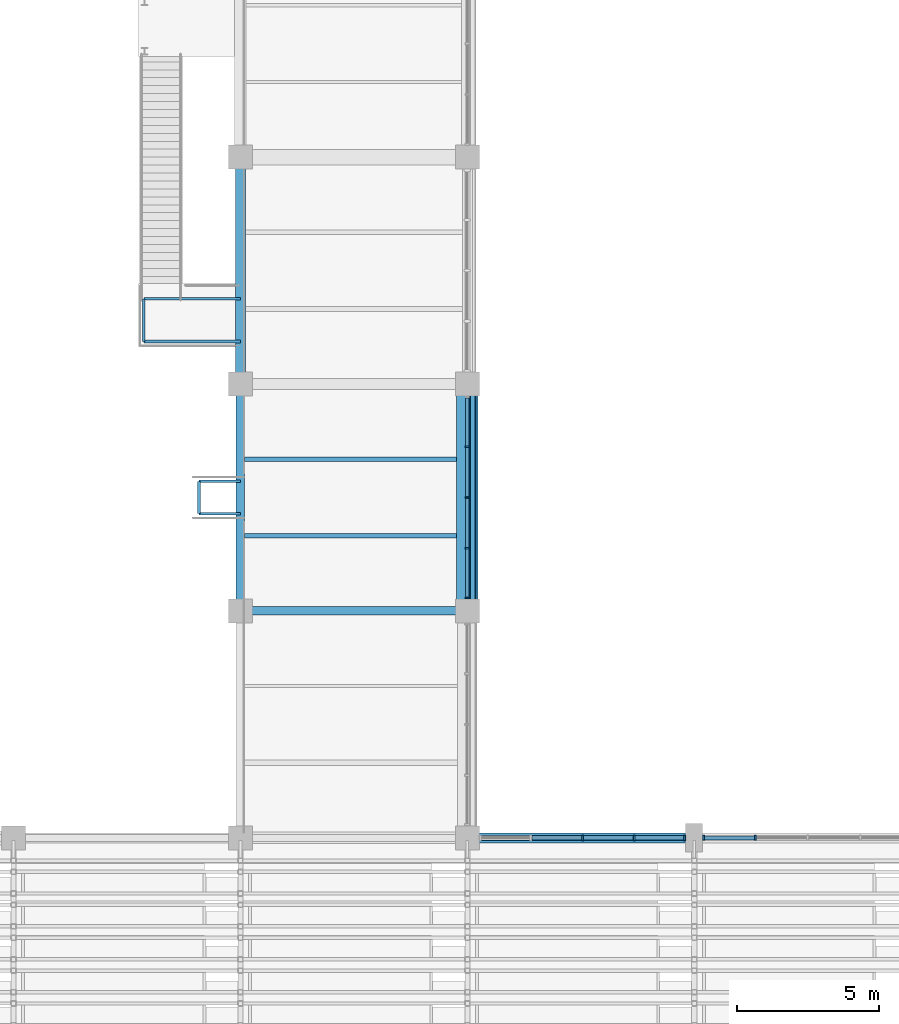
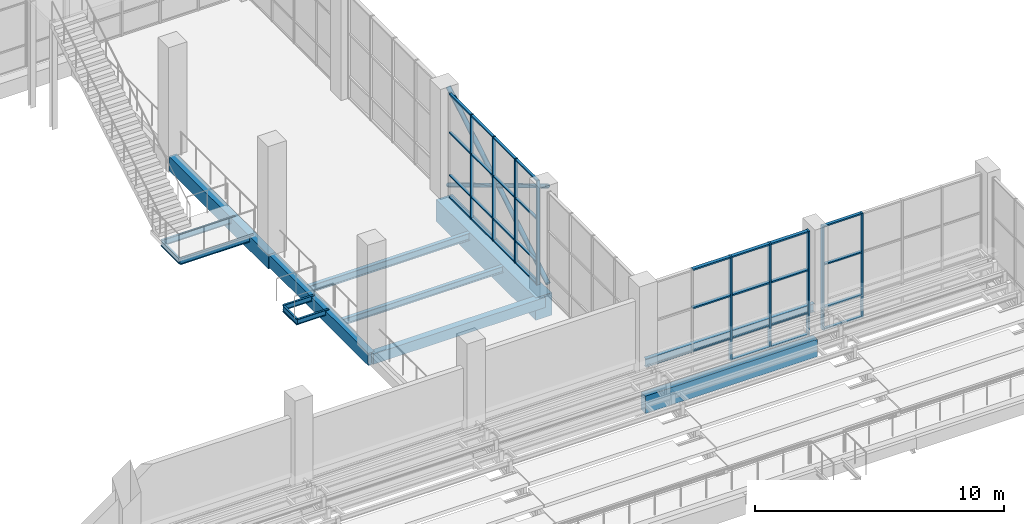
# One storey, part 55 of 122: 42 members, 14 beams, 3 elements without a shape of their own.
"""IFC4 building model written with IfcOpenShell, lengths in metres."""

from ifc_helpers import new_model, si_unit, direction, frame, origin, origin_2d, place, context, subcontext, project, spatial, rectangle, hollow_circle, i_section, extrude, material, material_profile, profile_set, type_object, element, aggregate, save


model = new_model("IFC4")

# Units and contexts
model_context = context("Model", 3, precision=1e-05, world=origin(), true_north=direction((0.0, 1.0)))
body_context = subcontext(model_context, "Body", "Model", "MODEL_VIEW")
ifc_project = project(units=[si_unit("LENGTHUNIT", "METRE"), si_unit("AREAUNIT", "SQUARE_METRE"), si_unit("VOLUMEUNIT", "CUBIC_METRE"), si_unit("PLANEANGLEUNIT", "RADIAN"), si_unit("MASSUNIT", "GRAM", prefix="KILO")], contexts=[model_context])

# Site, building, storey
site_placement = place(None, origin())
site = spatial("IfcSite", under=ifc_project, at=site_placement, CompositionType="ELEMENT")
building_placement = place(site_placement, origin())
building = spatial("IfcBuilding", under=site, at=building_placement, Name="Tenunan Teduh Sports Hall", CompositionType="ELEMENT")
storey_placement = place(building_placement, frame((0.0, 0.0, 5.39990234375)))
storey = spatial("IfcBuildingStorey", under=building, at=storey_placement, Name="L01", CompositionType="ELEMENT", Elevation=5.39990234375)

# Beams
ifc_material_1 = material(Name="Concrete C40/50", Category="concrete")
ifc_material_profile_1 = material_profile(ifc_material_1, rectangle(XDim=0.300048828125, YDim=0.5, at=origin_2d()), Name="RCB 300x500")
ifc_profile_set_1 = profile_set([ifc_material_profile_1], Name="Concrete C40/50")
beam_type_1 = type_object("IfcBeamType", Name="BM-RC-300x500", PredefinedType="BEAM", material=ifc_profile_set_1)
beam_1_placement = place(storey_placement, frame((146.0, 54.0, -0.510009765625), z_axis=(1.0, 0.0, 0.0), x_axis=(0.0, 1.0, 0.0)))
element("IfcBeam", 1, at=beam_1_placement, inside=storey, type_object=beam_type_1, Name="BM-B-01-L01-1090", PredefinedType="BEAM", context=body_context, shape_type="SweptSolid", body=[
    extrude(rectangle(XDim=0.300048828125, YDim=0.5, at=origin_2d()), origin(), (0.0, 0.0, 1.0), 8.0),
])
ifc_material_2 = material(Name="Concrete C40/50", Category="concrete")
ifc_material_profile_2 = material_profile(ifc_material_2, rectangle(XDim=0.300048828125, YDim=0.60009765625, at=origin_2d()), Name="RCB 300x600")
ifc_profile_set_2 = profile_set([ifc_material_profile_2], Name="Concrete C40/50")
beam_type_2 = type_object("IfcBeamType", Name="BM-RC-300x600", PredefinedType="BEAM", material=ifc_profile_set_2)
beam_2_placement = place(storey_placement, frame((146.0, 54.0, -0.559814453125), z_axis=(0.0, 1.0, 0.0), x_axis=(-1.0, 0.0, 0.0)))
element("IfcBeam", 2, at=beam_2_placement, inside=storey, type_object=beam_type_2, Name="BM-B-03-L01-1286", PredefinedType="BEAM", context=body_context, shape_type="SweptSolid", body=[
    extrude(rectangle(XDim=0.300048828125, YDim=0.60009765625, at=origin_2d()), origin(), (0.0, 0.0, 1.0), 8.0),
])
ifc_material_3 = material(Name="Concrete C40/50", Category="concrete")
ifc_material_profile_3 = material_profile(ifc_material_3, rectangle(XDim=0.35009765625, YDim=0.699951171875, at=origin_2d()), Name="RCB 350x700")
ifc_profile_set_3 = profile_set([ifc_material_profile_3], Name="Concrete C40/50")
beam_type_3 = type_object("IfcBeamType", Name="BM-RC-350x700", PredefinedType="BEAM", material=ifc_profile_set_3)
beam_3_placement = place(storey_placement, frame((146.0, 62.0, -0.60986328125), z_axis=(0.0, 1.0, 0.0), x_axis=(-1.0, 0.0, 0.0)))
element("IfcBeam", 3, at=beam_3_placement, inside=storey, type_object=beam_type_3, Name="BM-B-06-L01-1287", PredefinedType="BEAM", context=body_context, shape_type="SweptSolid", body=[
    extrude(rectangle(XDim=0.35009765625, YDim=0.699951171875, at=origin_2d()), origin(), (0.0, 0.0, 1.0), 8.0),
])
ifc_material_4 = material(Name="Concrete C40/50", Category="concrete")
ifc_material_profile_4 = material_profile(ifc_material_4, rectangle(XDim=0.75, YDim=1.10009765625, at=origin_2d()), Name="RCB 750x1100")
ifc_profile_set_4 = profile_set([ifc_material_profile_4], Name="Concrete C40/50")
beam_type_4 = type_object("IfcBeamType", Name="BM-RC-750x1100", PredefinedType="SPANDREL", material=ifc_profile_set_4)
beam_4_placement = place(storey_placement, frame((154.0, 54.0, -0.809814453125), z_axis=(0.0, 1.0, 0.0), x_axis=(-1.0, 0.0, 0.0)))
element("IfcBeam", 4, at=beam_4_placement, inside=storey, type_object=beam_type_4, Name="BM-B-20-L01-1294", PredefinedType="SPANDREL", context=body_context, shape_type="SweptSolid", body=[
    extrude(rectangle(XDim=0.75, YDim=1.10009765625, at=origin_2d()), origin(), (0.0, 0.0, 1.0), 8.0),
])
ifc_material_5 = material(Name="Concrete C40/50", Category="concrete")
ifc_material_profile_5 = material_profile(ifc_material_5, rectangle(XDim=0.35009765625, YDim=0.85009765625, at=origin_2d()), Name="SPB 350x850")
ifc_profile_set_5 = profile_set([ifc_material_profile_5], Name="Concrete C40/50")
beam_type_5 = type_object("IfcBeamType", Name="BM-SP-350x850", PredefinedType="SPANDREL", material=ifc_profile_set_5)
beam_5_placement = place(storey_placement, frame((154.0, 46.0, -0.684814453125), z_axis=(1.0, 0.0, 0.0), x_axis=(0.0, 1.0, 0.0)))
element("IfcBeam", 5, at=beam_5_placement, inside=storey, type_object=beam_type_5, Name="BM-SP-02-L01-1086", PredefinedType="SPANDREL", context=body_context, shape_type="SweptSolid", body=[
    extrude(rectangle(XDim=0.35009765625, YDim=0.85009765625, at=origin_2d()), origin(), (0.0, 0.0, 1.0), 8.0),
])

# Curtain wall, members
ifc_material_6 = material(Name="Anodised aluminium", Category="aluminium")
curtain_wall_type = type_object("IfcCurtainWallType", Name="CW-UNIT-1", PredefinedType="NOTDEFINED", material=ifc_material_6)
curtain_wall_1_placement = place(storey_placement, origin())
curtain_wall_1 = element("IfcCurtainWall", 6, at=curtain_wall_1_placement, inside=storey, type_object=curtain_wall_type, Name="CW-CWM-150-L01-123", PredefinedType="NOTDEFINED")
ifc_material_7 = material(Name="Anodised aluminium", Category="aluminium")
ifc_material_profile_6 = material_profile(ifc_material_7, rectangle(XDim=0.06005859375, YDim=0.14990234375, at=origin_2d()), Name="CWM 60x150")
ifc_profile_set_6 = profile_set([ifc_material_profile_6], Name="Anodised aluminium")
member_type_1 = type_object("IfcMemberType", Name="CWM-150", PredefinedType="MULLION", material=ifc_profile_set_6)
member_1_placement = place(storey_placement, frame((154.0, 54.455078125, 0.0), z_axis=(0.0, 0.0, 1.0), x_axis=(0.0, 1.0, 0.0)))
member_1 = element("IfcMember", 7, at=member_1_placement, type_object=member_type_1, Name="CW-01 mullion 1", PredefinedType="MULLION", context=body_context, shape_type="SweptSolid", body=[
    extrude(rectangle(XDim=0.06005859375, YDim=0.14990234375, at=origin_2d()), origin(), (0.0, 0.0, 1.0), 5.1201171875),
])
member_2_placement = place(storey_placement, frame((154.0, 56.21240234375, 0.0), z_axis=(0.0, 0.0, 1.0), x_axis=(0.0, 1.0, 0.0)))
member_2 = element("IfcMember", 8, at=member_2_placement, type_object=member_type_1, Name="CW-01 mullion 2", PredefinedType="MULLION", context=body_context, shape_type="SweptSolid", body=[
    extrude(rectangle(XDim=0.06005859375, YDim=0.14990234375, at=origin_2d()), origin(), (0.0, 0.0, 1.0), 5.1201171875),
])
member_3_placement = place(storey_placement, frame((154.0, 58.0, 0.0), z_axis=(0.0, 0.0, 1.0), x_axis=(0.0, 1.0, 0.0)))
member_3 = element("IfcMember", 9, at=member_3_placement, type_object=member_type_1, Name="CW-01 mullion 3", PredefinedType="MULLION", context=body_context, shape_type="SweptSolid", body=[
    extrude(rectangle(XDim=0.06005859375, YDim=0.14990234375, at=origin_2d()), origin(), (0.0, 0.0, 1.0), 5.1201171875),
])
member_4_placement = place(storey_placement, frame((154.0, 59.78759765625, 0.0), z_axis=(0.0, 0.0, 1.0), x_axis=(0.0, 1.0, 0.0)))
member_4 = element("IfcMember", 10, at=member_4_placement, type_object=member_type_1, Name="CW-01 mullion 4", PredefinedType="MULLION", context=body_context, shape_type="SweptSolid", body=[
    extrude(rectangle(XDim=0.06005859375, YDim=0.14990234375, at=origin_2d()), origin(), (0.0, 0.0, 1.0), 5.1201171875),
])

curtain_wall_2_placement = place(storey_placement, origin())
curtain_wall_2 = element("IfcCurtainWall", 11, at=curtain_wall_2_placement, inside=storey, type_object=curtain_wall_type, Name="CW-CWM-175-L01-014", PredefinedType="NOTDEFINED")
ifc_material_8 = material(Name="Anodised aluminium", Category="aluminium")
ifc_material_profile_7 = material_profile(ifc_material_8, rectangle(XDim=0.06494140625, YDim=0.175048828125, at=origin_2d()), Name="CWM 65x175")
ifc_profile_set_7 = profile_set([ifc_material_profile_7], Name="Anodised aluminium")
member_type_2 = type_object("IfcMemberType", Name="CWM-175", PredefinedType="MULLION", material=ifc_profile_set_7)
member_5_placement = place(storey_placement, frame((162.33251953125, 46.0, 0.0), z_axis=(0.0, 0.0, 1.0), x_axis=(1.0, 0.0, 0.0)))
member_5 = element("IfcMember", 12, at=member_5_placement, type_object=member_type_2, Name="CW-01 mullion 1", PredefinedType="MULLION", context=body_context, shape_type="SweptSolid", body=[
    extrude(rectangle(XDim=0.06494140625, YDim=0.175048828125, at=origin_2d()), origin(), (0.0, 0.0, 1.0), 5.1201171875),
])
member_6_placement = place(storey_placement, frame((164.14990234375, 46.0, 0.0), z_axis=(0.0, 0.0, 1.0), x_axis=(1.0, 0.0, 0.0)))
member_6 = element("IfcMember", 13, at=member_6_placement, type_object=member_type_2, Name="CW-01 mullion 2", PredefinedType="MULLION", context=body_context, shape_type="SweptSolid", body=[
    extrude(rectangle(XDim=0.06494140625, YDim=0.175048828125, at=origin_2d()), origin(), (0.0, 0.0, 1.0), 5.1201171875),
])

curtain_wall_3_placement = place(storey_placement, origin())
curtain_wall_3 = element("IfcCurtainWall", 14, at=curtain_wall_3_placement, inside=storey, type_object=curtain_wall_type, Name="CW-CWM-200-L01-012", PredefinedType="NOTDEFINED")
ifc_material_9 = material(Name="Anodised aluminium", Category="aluminium")
ifc_material_profile_8 = material_profile(ifc_material_9, rectangle(XDim=0.070068359375, YDim=0.199951171875, at=origin_2d()), Name="CWM 70x200")
ifc_profile_set_8 = profile_set([ifc_material_profile_8], Name="Anodised aluminium")
member_type_3 = type_object("IfcMemberType", Name="CWM-200", PredefinedType="MULLION", material=ifc_profile_set_8)
member_7_placement = place(storey_placement, frame((158.0625, 46.0, 0.0), z_axis=(0.0, 0.0, 1.0), x_axis=(1.0, 0.0, 0.0)))
member_7 = element("IfcMember", 15, at=member_7_placement, type_object=member_type_3, Name="CW-01 mullion 3", PredefinedType="MULLION", context=body_context, shape_type="SweptSolid", body=[
    extrude(rectangle(XDim=0.070068359375, YDim=0.199951171875, at=origin_2d()), origin(), (0.0, 0.0, 1.0), 5.1201171875),
])
member_8_placement = place(storey_placement, frame((159.88134765625, 46.0, 0.0), z_axis=(0.0, 0.0, 1.0), x_axis=(1.0, 0.0, 0.0)))
member_8 = element("IfcMember", 16, at=member_8_placement, type_object=member_type_3, Name="CW-01 mullion 4", PredefinedType="MULLION", context=body_context, shape_type="SweptSolid", body=[
    extrude(rectangle(XDim=0.070068359375, YDim=0.199951171875, at=origin_2d()), origin(), (0.0, 0.0, 1.0), 5.1201171875),
])
member_9_placement = place(storey_placement, frame((161.6650390625, 46.0, 0.0), z_axis=(0.0, 0.0, 1.0), x_axis=(1.0, 0.0, 0.0)))
member_9 = element("IfcMember", 17, at=member_9_placement, type_object=member_type_3, Name="CW-01 mullion 5", PredefinedType="MULLION", context=body_context, shape_type="SweptSolid", body=[
    extrude(rectangle(XDim=0.070068359375, YDim=0.199951171875, at=origin_2d()), origin(), (0.0, 0.0, 1.0), 5.1201171875),
])

# Member
ifc_material_10 = material(Name="Anodised aluminium", Category="aluminium")
ifc_material_profile_9 = material_profile(ifc_material_10, rectangle(XDim=0.06005859375, YDim=0.1201171875, at=origin_2d()), Name="CWT 60x120")
ifc_profile_set_9 = profile_set([ifc_material_profile_9], Name="Anodised aluminium")
member_type_4 = type_object("IfcMemberType", Name="CWT-125", PredefinedType="USERDEFINED", material=ifc_profile_set_9)
member_10_placement = place(storey_placement, frame((154.0, 54.485107421875, 0.030029296875), z_axis=(0.0, 1.0, 0.0), x_axis=(0.0, 0.0, 1.0)))
member_10 = element("IfcMember", 18, at=member_10_placement, type_object=member_type_4, Name="CW-01 transom 1.1", ObjectType="TRANSOM", PredefinedType="USERDEFINED", context=body_context, shape_type="SweptSolid", body=[
    extrude(rectangle(XDim=0.06005859375, YDim=0.1201171875, at=origin_2d()), origin(), (0.0, 0.0, 1.0), 1.697509765625),
])

member_11_placement = place(storey_placement, frame((154.0, 54.485107421875, 1.10009765625), z_axis=(0.0, 1.0, 0.0), x_axis=(0.0, 0.0, 1.0)))
member_11 = element("IfcMember", 19, at=member_11_placement, type_object=member_type_4, Name="CW-01 transom 1.2", ObjectType="TRANSOM", PredefinedType="USERDEFINED", context=body_context, shape_type="SweptSolid", body=[
    extrude(rectangle(XDim=0.06005859375, YDim=0.1201171875, at=origin_2d()), origin(), (0.0, 0.0, 1.0), 1.697509765625),
])

member_12_placement = place(storey_placement, frame((154.0, 54.485107421875, 3.2001953125), z_axis=(0.0, 1.0, 0.0), x_axis=(0.0, 0.0, 1.0)))
member_12 = element("IfcMember", 20, at=member_12_placement, type_object=member_type_4, Name="CW-01 transom 1.3", ObjectType="TRANSOM", PredefinedType="USERDEFINED", context=body_context, shape_type="SweptSolid", body=[
    extrude(rectangle(XDim=0.06005859375, YDim=0.1201171875, at=origin_2d()), origin(), (0.0, 0.0, 1.0), 1.697509765625),
])

member_13_placement = place(storey_placement, frame((154.0, 54.485107421875, 5.090087890625), z_axis=(0.0, 1.0, 0.0), x_axis=(0.0, 0.0, 1.0)))
member_13 = element("IfcMember", 21, at=member_13_placement, type_object=member_type_4, Name="CW-01 transom 1.4", ObjectType="TRANSOM", PredefinedType="USERDEFINED", context=body_context, shape_type="SweptSolid", body=[
    extrude(rectangle(XDim=0.06005859375, YDim=0.1201171875, at=origin_2d()), origin(), (0.0, 0.0, 1.0), 1.697509765625),
])

member_14_placement = place(storey_placement, frame((154.0, 56.242431640625, 0.030029296875), z_axis=(0.0, 1.0, 0.0), x_axis=(0.0, 0.0, 1.0)))
member_14 = element("IfcMember", 22, at=member_14_placement, type_object=member_type_4, Name="CW-01 transom 2.1", ObjectType="TRANSOM", PredefinedType="USERDEFINED", context=body_context, shape_type="SweptSolid", body=[
    extrude(rectangle(XDim=0.06005859375, YDim=0.1201171875, at=origin_2d()), origin(), (0.0, 0.0, 1.0), 1.7275390625),
])

member_15_placement = place(storey_placement, frame((154.0, 56.242431640625, 1.10009765625), z_axis=(0.0, 1.0, 0.0), x_axis=(0.0, 0.0, 1.0)))
member_15 = element("IfcMember", 23, at=member_15_placement, type_object=member_type_4, Name="CW-01 transom 2.2", ObjectType="TRANSOM", PredefinedType="USERDEFINED", context=body_context, shape_type="SweptSolid", body=[
    extrude(rectangle(XDim=0.06005859375, YDim=0.1201171875, at=origin_2d()), origin(), (0.0, 0.0, 1.0), 1.7275390625),
])

member_16_placement = place(storey_placement, frame((154.0, 56.242431640625, 3.2001953125), z_axis=(0.0, 1.0, 0.0), x_axis=(0.0, 0.0, 1.0)))
member_16 = element("IfcMember", 24, at=member_16_placement, type_object=member_type_4, Name="CW-01 transom 2.3", ObjectType="TRANSOM", PredefinedType="USERDEFINED", context=body_context, shape_type="SweptSolid", body=[
    extrude(rectangle(XDim=0.06005859375, YDim=0.1201171875, at=origin_2d()), origin(), (0.0, 0.0, 1.0), 1.7275390625),
])

member_17_placement = place(storey_placement, frame((154.0, 56.242431640625, 5.090087890625), z_axis=(0.0, 1.0, 0.0), x_axis=(0.0, 0.0, 1.0)))
member_17 = element("IfcMember", 25, at=member_17_placement, type_object=member_type_4, Name="CW-01 transom 2.4", ObjectType="TRANSOM", PredefinedType="USERDEFINED", context=body_context, shape_type="SweptSolid", body=[
    extrude(rectangle(XDim=0.06005859375, YDim=0.1201171875, at=origin_2d()), origin(), (0.0, 0.0, 1.0), 1.7275390625),
])

member_18_placement = place(storey_placement, frame((154.0, 58.030029296875, 0.030029296875), z_axis=(0.0, 1.0, 0.0), x_axis=(0.0, 0.0, 1.0)))
member_18 = element("IfcMember", 26, at=member_18_placement, type_object=member_type_4, Name="CW-01 transom 3.1", ObjectType="TRANSOM", PredefinedType="USERDEFINED", context=body_context, shape_type="SweptSolid", body=[
    extrude(rectangle(XDim=0.06005859375, YDim=0.1201171875, at=origin_2d()), origin(), (0.0, 0.0, 1.0), 1.7275390625),
])

member_19_placement = place(storey_placement, frame((154.0, 58.030029296875, 1.10009765625), z_axis=(0.0, 1.0, 0.0), x_axis=(0.0, 0.0, 1.0)))
member_19 = element("IfcMember", 27, at=member_19_placement, type_object=member_type_4, Name="CW-01 transom 3.2", ObjectType="TRANSOM", PredefinedType="USERDEFINED", context=body_context, shape_type="SweptSolid", body=[
    extrude(rectangle(XDim=0.06005859375, YDim=0.1201171875, at=origin_2d()), origin(), (0.0, 0.0, 1.0), 1.7275390625),
])

member_20_placement = place(storey_placement, frame((154.0, 58.030029296875, 3.2001953125), z_axis=(0.0, 1.0, 0.0), x_axis=(0.0, 0.0, 1.0)))
member_20 = element("IfcMember", 28, at=member_20_placement, type_object=member_type_4, Name="CW-01 transom 3.3", ObjectType="TRANSOM", PredefinedType="USERDEFINED", context=body_context, shape_type="SweptSolid", body=[
    extrude(rectangle(XDim=0.06005859375, YDim=0.1201171875, at=origin_2d()), origin(), (0.0, 0.0, 1.0), 1.7275390625),
])

member_21_placement = place(storey_placement, frame((154.0, 58.030029296875, 5.090087890625), z_axis=(0.0, 1.0, 0.0), x_axis=(0.0, 0.0, 1.0)))
member_21 = element("IfcMember", 29, at=member_21_placement, type_object=member_type_4, Name="CW-01 transom 3.4", ObjectType="TRANSOM", PredefinedType="USERDEFINED", context=body_context, shape_type="SweptSolid", body=[
    extrude(rectangle(XDim=0.06005859375, YDim=0.1201171875, at=origin_2d()), origin(), (0.0, 0.0, 1.0), 1.7275390625),
])

member_22_placement = place(storey_placement, frame((154.0, 59.8173828125, 0.030029296875), z_axis=(0.0, 1.0, 0.0), x_axis=(0.0, 0.0, 1.0)))
member_22 = element("IfcMember", 30, at=member_22_placement, type_object=member_type_4, Name="CW-01 transom 4.1", ObjectType="TRANSOM", PredefinedType="USERDEFINED", context=body_context, shape_type="SweptSolid", body=[
    extrude(rectangle(XDim=0.06005859375, YDim=0.1201171875, at=origin_2d()), origin(), (0.0, 0.0, 1.0), 1.697509765625),
])

member_23_placement = place(storey_placement, frame((154.0, 59.8173828125, 1.10009765625), z_axis=(0.0, 1.0, 0.0), x_axis=(0.0, 0.0, 1.0)))
member_23 = element("IfcMember", 31, at=member_23_placement, type_object=member_type_4, Name="CW-01 transom 4.2", ObjectType="TRANSOM", PredefinedType="USERDEFINED", context=body_context, shape_type="SweptSolid", body=[
    extrude(rectangle(XDim=0.06005859375, YDim=0.1201171875, at=origin_2d()), origin(), (0.0, 0.0, 1.0), 1.697509765625),
])

member_24_placement = place(storey_placement, frame((154.0, 59.8173828125, 3.2001953125), z_axis=(0.0, 1.0, 0.0), x_axis=(0.0, 0.0, 1.0)))
member_24 = element("IfcMember", 32, at=member_24_placement, type_object=member_type_4, Name="CW-01 transom 4.3", ObjectType="TRANSOM", PredefinedType="USERDEFINED", context=body_context, shape_type="SweptSolid", body=[
    extrude(rectangle(XDim=0.06005859375, YDim=0.1201171875, at=origin_2d()), origin(), (0.0, 0.0, 1.0), 1.697509765625),
])

member_25_placement = place(storey_placement, frame((154.0, 59.8173828125, 5.090087890625), z_axis=(0.0, 1.0, 0.0), x_axis=(0.0, 0.0, 1.0)))
member_25 = element("IfcMember", 33, at=member_25_placement, type_object=member_type_4, Name="CW-01 transom 4.4", ObjectType="TRANSOM", PredefinedType="USERDEFINED", context=body_context, shape_type="SweptSolid", body=[
    extrude(rectangle(XDim=0.06005859375, YDim=0.1201171875, at=origin_2d()), origin(), (0.0, 0.0, 1.0), 1.697509765625),
])

aggregate(curtain_wall_1, [member_1, member_2, member_3, member_4, member_10, member_11, member_12, member_13, member_14, member_15, member_16, member_17, member_18, member_19, member_20, member_21, member_22, member_23, member_24, member_25])

ifc_material_11 = material(Name="Anodised aluminium", Category="aluminium")
ifc_material_profile_10 = material_profile(ifc_material_11, rectangle(XDim=0.06494140625, YDim=0.139892578125, at=origin_2d()), Name="CWT 65x140")
ifc_profile_set_10 = profile_set([ifc_material_profile_10], Name="Anodised aluminium")
member_type_5 = type_object("IfcMemberType", Name="CWT-150", PredefinedType="USERDEFINED", material=ifc_profile_set_10)
member_26_placement = place(storey_placement, frame((162.364990234375, 46.0, 0.03271484375), z_axis=(1.0, 0.0, 0.0), x_axis=(0.0, 0.0, 1.0)))
member_26 = element("IfcMember", 34, at=member_26_placement, type_object=member_type_5, Name="CW-01 transom 1.1", ObjectType="TRANSOM", PredefinedType="USERDEFINED", context=body_context, shape_type="SweptSolid", body=[
    extrude(rectangle(XDim=0.06494140625, YDim=0.139892578125, at=origin_2d()), origin(), (0.0, 0.0, 1.0), 1.75244140625),
])

member_27_placement = place(storey_placement, frame((162.364990234375, 46.0, 1.10009765625), z_axis=(1.0, 0.0, 0.0), x_axis=(0.0, 0.0, 1.0)))
member_27 = element("IfcMember", 35, at=member_27_placement, type_object=member_type_5, Name="CW-01 transom 1.2", ObjectType="TRANSOM", PredefinedType="USERDEFINED", context=body_context, shape_type="SweptSolid", body=[
    extrude(rectangle(XDim=0.06494140625, YDim=0.139892578125, at=origin_2d()), origin(), (0.0, 0.0, 1.0), 1.75244140625),
])

member_28_placement = place(storey_placement, frame((162.364990234375, 46.0, 3.2001953125), z_axis=(1.0, 0.0, 0.0), x_axis=(0.0, 0.0, 1.0)))
member_28 = element("IfcMember", 36, at=member_28_placement, type_object=member_type_5, Name="CW-01 transom 1.3", ObjectType="TRANSOM", PredefinedType="USERDEFINED", context=body_context, shape_type="SweptSolid", body=[
    extrude(rectangle(XDim=0.06494140625, YDim=0.139892578125, at=origin_2d()), origin(), (0.0, 0.0, 1.0), 1.75244140625),
])

member_29_placement = place(storey_placement, frame((162.364990234375, 46.0, 5.087646484375), z_axis=(1.0, 0.0, 0.0), x_axis=(0.0, 0.0, 1.0)))
member_29 = element("IfcMember", 37, at=member_29_placement, type_object=member_type_5, Name="CW-01 transom 1.4", ObjectType="TRANSOM", PredefinedType="USERDEFINED", context=body_context, shape_type="SweptSolid", body=[
    extrude(rectangle(XDim=0.06494140625, YDim=0.139892578125, at=origin_2d()), origin(), (0.0, 0.0, 1.0), 1.75244140625),
])

aggregate(curtain_wall_2, [member_5, member_6, member_26, member_27, member_28, member_29])

ifc_material_12 = material(Name="Anodised aluminium", Category="aluminium")
ifc_material_profile_11 = material_profile(ifc_material_12, rectangle(XDim=0.070068359375, YDim=0.159912109375, at=origin_2d()), Name="CWT 70x160")
ifc_profile_set_11 = profile_set([ifc_material_profile_11], Name="Anodised aluminium")
member_type_6 = type_object("IfcMemberType", Name="CWT-200", PredefinedType="USERDEFINED", material=ifc_profile_set_11)
member_30_placement = place(storey_placement, frame((156.27880859375, 46.0, 1.10009765625), z_axis=(1.0, 0.0, 0.0), x_axis=(0.0, 0.0, 1.0)))
member_30 = element("IfcMember", 38, at=member_30_placement, type_object=member_type_6, Name="CW-01 transom 2.2", ObjectType="TRANSOM", PredefinedType="USERDEFINED", context=body_context, shape_type="SweptSolid", body=[
    extrude(rectangle(XDim=0.070068359375, YDim=0.159912109375, at=origin_2d()), origin(), (0.0, 0.0, 1.0), 1.748779296875),
])

member_31_placement = place(storey_placement, frame((156.27880859375, 46.0, 3.2001953125), z_axis=(1.0, 0.0, 0.0), x_axis=(0.0, 0.0, 1.0)))
member_31 = element("IfcMember", 39, at=member_31_placement, type_object=member_type_6, Name="CW-01 transom 2.3", ObjectType="TRANSOM", PredefinedType="USERDEFINED", context=body_context, shape_type="SweptSolid", body=[
    extrude(rectangle(XDim=0.070068359375, YDim=0.159912109375, at=origin_2d()), origin(), (0.0, 0.0, 1.0), 1.748779296875),
])

member_32_placement = place(storey_placement, frame((156.27880859375, 46.0, 5.085205078125), z_axis=(1.0, 0.0, 0.0), x_axis=(0.0, 0.0, 1.0)))
member_32 = element("IfcMember", 40, at=member_32_placement, type_object=member_type_6, Name="CW-01 transom 2.4", ObjectType="TRANSOM", PredefinedType="USERDEFINED", context=body_context, shape_type="SweptSolid", body=[
    extrude(rectangle(XDim=0.070068359375, YDim=0.159912109375, at=origin_2d()), origin(), (0.0, 0.0, 1.0), 1.748779296875),
])

member_33_placement = place(storey_placement, frame((158.097412109375, 46.0, 0.03515625), z_axis=(1.0, 0.0, 0.0), x_axis=(0.0, 0.0, 1.0)))
member_33 = element("IfcMember", 41, at=member_33_placement, type_object=member_type_6, Name="CW-01 transom 3.1", ObjectType="TRANSOM", PredefinedType="USERDEFINED", context=body_context, shape_type="SweptSolid", body=[
    extrude(rectangle(XDim=0.070068359375, YDim=0.159912109375, at=origin_2d()), origin(), (0.0, 0.0, 1.0), 1.748779296875),
])

member_34_placement = place(storey_placement, frame((158.097412109375, 46.0, 1.10009765625), z_axis=(1.0, 0.0, 0.0), x_axis=(0.0, 0.0, 1.0)))
member_34 = element("IfcMember", 42, at=member_34_placement, type_object=member_type_6, Name="CW-01 transom 3.2", ObjectType="TRANSOM", PredefinedType="USERDEFINED", context=body_context, shape_type="SweptSolid", body=[
    extrude(rectangle(XDim=0.070068359375, YDim=0.159912109375, at=origin_2d()), origin(), (0.0, 0.0, 1.0), 1.748779296875),
])

member_35_placement = place(storey_placement, frame((158.097412109375, 46.0, 3.2001953125), z_axis=(1.0, 0.0, 0.0), x_axis=(0.0, 0.0, 1.0)))
member_35 = element("IfcMember", 43, at=member_35_placement, type_object=member_type_6, Name="CW-01 transom 3.3", ObjectType="TRANSOM", PredefinedType="USERDEFINED", context=body_context, shape_type="SweptSolid", body=[
    extrude(rectangle(XDim=0.070068359375, YDim=0.159912109375, at=origin_2d()), origin(), (0.0, 0.0, 1.0), 1.748779296875),
])

member_36_placement = place(storey_placement, frame((158.097412109375, 46.0, 5.085205078125), z_axis=(1.0, 0.0, 0.0), x_axis=(0.0, 0.0, 1.0)))
member_36 = element("IfcMember", 44, at=member_36_placement, type_object=member_type_6, Name="CW-01 transom 3.4", ObjectType="TRANSOM", PredefinedType="USERDEFINED", context=body_context, shape_type="SweptSolid", body=[
    extrude(rectangle(XDim=0.070068359375, YDim=0.159912109375, at=origin_2d()), origin(), (0.0, 0.0, 1.0), 1.748779296875),
])

member_37_placement = place(storey_placement, frame((159.916259765625, 46.0, 0.03515625), z_axis=(1.0, 0.0, 0.0), x_axis=(0.0, 0.0, 1.0)))
member_37 = element("IfcMember", 45, at=member_37_placement, type_object=member_type_6, Name="CW-01 transom 4.1", ObjectType="TRANSOM", PredefinedType="USERDEFINED", context=body_context, shape_type="SweptSolid", body=[
    extrude(rectangle(XDim=0.070068359375, YDim=0.159912109375, at=origin_2d()), origin(), (0.0, 0.0, 1.0), 1.713623046875),
])

member_38_placement = place(storey_placement, frame((159.916259765625, 46.0, 1.10009765625), z_axis=(1.0, 0.0, 0.0), x_axis=(0.0, 0.0, 1.0)))
member_38 = element("IfcMember", 46, at=member_38_placement, type_object=member_type_6, Name="CW-01 transom 4.2", ObjectType="TRANSOM", PredefinedType="USERDEFINED", context=body_context, shape_type="SweptSolid", body=[
    extrude(rectangle(XDim=0.070068359375, YDim=0.159912109375, at=origin_2d()), origin(), (0.0, 0.0, 1.0), 1.713623046875),
])

member_39_placement = place(storey_placement, frame((159.916259765625, 46.0, 3.2001953125), z_axis=(1.0, 0.0, 0.0), x_axis=(0.0, 0.0, 1.0)))
member_39 = element("IfcMember", 47, at=member_39_placement, type_object=member_type_6, Name="CW-01 transom 4.3", ObjectType="TRANSOM", PredefinedType="USERDEFINED", context=body_context, shape_type="SweptSolid", body=[
    extrude(rectangle(XDim=0.070068359375, YDim=0.159912109375, at=origin_2d()), origin(), (0.0, 0.0, 1.0), 1.713623046875),
])

member_40_placement = place(storey_placement, frame((159.916259765625, 46.0, 5.085205078125), z_axis=(1.0, 0.0, 0.0), x_axis=(0.0, 0.0, 1.0)))
member_40 = element("IfcMember", 48, at=member_40_placement, type_object=member_type_6, Name="CW-01 transom 4.4", ObjectType="TRANSOM", PredefinedType="USERDEFINED", context=body_context, shape_type="SweptSolid", body=[
    extrude(rectangle(XDim=0.070068359375, YDim=0.159912109375, at=origin_2d()), origin(), (0.0, 0.0, 1.0), 1.713623046875),
])

aggregate(curtain_wall_3, [member_7, member_8, member_9, member_30, member_31, member_32, member_33, member_34, member_35, member_36, member_37, member_38, member_39, member_40])

# Members
ifc_material_13 = material(Name="Steel S355", Category="steel")
ifc_material_profile_12 = material_profile(ifc_material_13, hollow_circle(Radius=0.096923828125, WallThickness=0.008056640625, at=origin_2d()), Name="CHS 193.7x8.0")
ifc_profile_set_12 = profile_set([ifc_material_profile_12], Name="Steel S355")
member_type_7 = type_object("IfcMemberType", Name="MEM-BR-CHS194", PredefinedType="BRACE", material=ifc_profile_set_12)
member_41_placement = place(storey_placement, frame((154.18994140625, 62.0, 0.25), z_axis=(0.0, -0.857490616715, 0.514499603737), x_axis=(1.0, 0.0, 0.0)))
element("IfcMember", 49, at=member_41_placement, inside=storey, type_object=member_type_7, Name="MEM-GD-03-L01-1071", PredefinedType="BRACE", context=body_context, shape_type="SweptSolid", body=[
    extrude(hollow_circle(Radius=0.096923828125, WallThickness=0.008056640625, at=origin_2d()), origin(), (0.0, 0.0, 1.0), 9.32958984375),
])
ifc_material_14 = material(Name="Steel S355", Category="steel")
ifc_material_profile_13 = material_profile(ifc_material_14, hollow_circle(Radius=0.109619140625, WallThickness=0.010009765625, at=origin_2d()), Name="CHS 219.1x10.0")
ifc_profile_set_13 = profile_set([ifc_material_profile_13], Name="Steel S355")
member_type_8 = type_object("IfcMemberType", Name="MEM-BR-CHS219", PredefinedType="BRACE", material=ifc_profile_set_13)
member_42_placement = place(storey_placement, frame((154.199951171875, 54.0, 0.25), z_axis=(0.0, 0.857490616715, 0.514499603737), x_axis=(-1.0, 0.0, 0.0)))
element("IfcMember", 50, at=member_42_placement, inside=storey, type_object=member_type_8, Name="MEM-GD-02-L01-1070", PredefinedType="BRACE", context=body_context, shape_type="SweptSolid", body=[
    extrude(hollow_circle(Radius=0.109619140625, WallThickness=0.010009765625, at=origin_2d()), origin(), (0.0, 0.0, 1.0), 9.32958984375),
])

# Beams
ifc_material_15 = material(Name="Steel S355", Category="steel")
ifc_material_profile_14 = material_profile(ifc_material_15, i_section(OverallWidth=0.1650390625, OverallDepth=0.303466796875, WebThickness=0.006103515625, FlangeThickness=0.01025390625, FilletRadius=0.0087890625, at=origin_2d()), Name="UKB 305x165x40")
ifc_profile_set_14 = profile_set([ifc_material_profile_14], Name="Steel S355")
beam_type_6 = type_object("IfcBeamType", Name="SBM-UKB305", PredefinedType="BEAM", material=ifc_profile_set_14)
beam_6_placement = place(storey_placement, frame((146.14990234375, 56.64990234375, -0.41162109375), z_axis=(1.0, 0.0, 0.0), x_axis=(0.0, 1.0, 0.0)))
element("IfcBeam", 51, at=beam_6_placement, inside=storey, type_object=beam_type_6, Name="BM-SB-01-L01-1436", PredefinedType="BEAM", context=body_context, shape_type="SweptSolid", body=[
    extrude(i_section(OverallWidth=0.1650390625, OverallDepth=0.303466796875, WebThickness=0.006103515625, FlangeThickness=0.01025390625, FilletRadius=0.0087890625, at=origin_2d()), origin(), (0.0, 0.0, 1.0), 7.47509765625),
])
ifc_material_16 = material(Name="Steel S355", Category="steel")
ifc_material_profile_15 = material_profile(ifc_material_16, i_section(OverallWidth=0.17138671875, OverallDepth=0.35498046875, WebThickness=0.00732421875, FlangeThickness=0.011474609375, FilletRadius=0.01025390625, at=origin_2d()), Name="UKB 356x171x51")
ifc_profile_set_15 = profile_set([ifc_material_profile_15], Name="Steel S355")
beam_type_7 = type_object("IfcBeamType", Name="SBM-UKB356", PredefinedType="BEAM", material=ifc_profile_set_15)
beam_7_placement = place(storey_placement, frame((146.14990234375, 59.35009765625, -0.4375), z_axis=(1.0, 0.0, 0.0), x_axis=(0.0, 1.0, 0.0)))
element("IfcBeam", 52, at=beam_7_placement, inside=storey, type_object=beam_type_7, Name="BM-SB-02-L01-1437", PredefinedType="BEAM", context=body_context, shape_type="SweptSolid", body=[
    extrude(i_section(OverallWidth=0.17138671875, OverallDepth=0.35498046875, WebThickness=0.00732421875, FlangeThickness=0.011474609375, FilletRadius=0.01025390625, at=origin_2d()), origin(), (0.0, 0.0, 1.0), 7.47509765625),
])
ifc_material_17 = material(Name="Steel S355", Category="steel")
ifc_material_profile_16 = material_profile(ifc_material_17, i_section(OverallWidth=0.177978515625, OverallDepth=0.406494140625, WebThickness=0.0078125, FlangeThickness=0.0126953125, FilletRadius=0.01025390625, at=origin_2d()), Name="UKB 406x178x60")
ifc_profile_set_16 = profile_set([ifc_material_profile_16], Name="Steel S355")
beam_type_8 = type_object("IfcBeamType", Name="SBM-UKB406", PredefinedType="BEAM", material=ifc_profile_set_16)
beam_8_placement = place(storey_placement, frame((154.090087890625, 46.0, 1.27685546875), z_axis=(1.0, 0.0, 0.0), x_axis=(0.0, 1.0, 0.0)))
element("IfcBeam", 53, at=beam_8_placement, inside=storey, type_object=beam_type_8, Name="BM-SB-03-L01-2264", PredefinedType="BEAM", context=body_context, shape_type="SweptSolid", body=[
    extrude(i_section(OverallWidth=0.177978515625, OverallDepth=0.406494140625, WebThickness=0.0078125, FlangeThickness=0.0126953125, FilletRadius=0.01025390625, at=origin_2d()), origin(), (0.0, 0.0, 1.0), 7.81982421875),
])
ifc_material_18 = material(Name="Steel S355", Category="steel")
ifc_material_profile_17 = material_profile(ifc_material_18, i_section(OverallWidth=0.090087890625, OverallDepth=0.300048828125, WebThickness=0.008056640625, FlangeThickness=0.015380859375, FilletRadius=0.011962890625, at=origin_2d()), Name="PFC 300x90")
ifc_profile_set_17 = profile_set([ifc_material_profile_17], Name="Steel S355")
beam_type_9 = type_object("IfcBeamType", Name="STR-BM-STRINGER", PredefinedType="BEAM", material=ifc_profile_set_17)
for number, where, z_axis, x_axis, name in (
    (54, (142.60009765625, 63.5, -0.35986328125), (1.0, 0.0, 0.0), (0.0, 1.0, 0.0), "BM-SS-01-CL2-S1"),
    (55, (142.60009765625, 65.0, -0.35986328125), (1.0, 0.0, 0.0), (0.0, 1.0, 0.0), "BM-SS-01-CL2-S2"),
):
    element("IfcBeam", number, at=place(storey_placement, frame(where, z_axis=z_axis, x_axis=x_axis)), inside=storey, type_object=beam_type_9, Name=name, PredefinedType="BEAM", context=body_context, shape_type="SweptSolid", body=[
        extrude(i_section(OverallWidth=0.090087890625, OverallDepth=0.300048828125, WebThickness=0.008056640625, FlangeThickness=0.015380859375, FilletRadius=0.011962890625, at=origin_2d()), origin(), (0.0, 0.0, 1.0), 3.39990234375),
    ])
beam_9_placement = place(storey_placement, frame((144.5400390625, 57.429931640625, -0.3349609375), z_axis=(0.0, 1.0, 0.0), x_axis=(-1.0, 0.0, 0.0)))
element("IfcBeam", 56, at=beam_9_placement, inside=storey, type_object=beam_type_9, Name="BM-SS-01-FST-7-OUT", PredefinedType="BEAM", context=body_context, shape_type="SweptSolid", body=[
    extrude(i_section(OverallWidth=0.090087890625, OverallDepth=0.300048828125, WebThickness=0.008056640625, FlangeThickness=0.015380859375, FilletRadius=0.011962890625, at=origin_2d()), origin(), (0.0, 0.0, 1.0), 1.14013671875),
])
ifc_material_19 = material(Name="Steel S355", Category="steel")
ifc_material_profile_18 = material_profile(ifc_material_19, i_section(OverallWidth=0.090087890625, OverallDepth=0.260009765625, WebThickness=0.008056640625, FlangeThickness=0.013916015625, FilletRadius=0.011962890625, at=origin_2d()), Name="PFC 260x90")
ifc_profile_set_18 = profile_set([ifc_material_profile_18], Name="Steel S355")
beam_type_10 = type_object("IfcBeamType", Name="STR-BM-TRIM", PredefinedType="BEAM", material=ifc_profile_set_18)
beam_10_placement = place(storey_placement, frame((142.60009765625, 63.5, -0.35986328125), z_axis=(0.0, 1.0, 0.0), x_axis=(-1.0, 0.0, 0.0)))
element("IfcBeam", 57, at=beam_10_placement, inside=storey, type_object=beam_type_10, Name="BM-SS-02-CL2-OUT", PredefinedType="BEAM", context=body_context, shape_type="SweptSolid", body=[
    extrude(i_section(OverallWidth=0.090087890625, OverallDepth=0.260009765625, WebThickness=0.008056640625, FlangeThickness=0.013916015625, FilletRadius=0.011962890625, at=origin_2d()), origin(), (0.0, 0.0, 1.0), 1.5),
])
for number, where, z_axis, x_axis, name in (
    (58, (144.5400390625, 57.429931640625, -0.31201171875), (1.0, 0.0, 0.0), (0.0, 1.0, 0.0), "BM-SS-02-FST-7-S1"),
    (59, (144.5400390625, 58.570068359375, -0.31201171875), (1.0, 0.0, 0.0), (0.0, 1.0, 0.0), "BM-SS-02-FST-7-S2"),
):
    element("IfcBeam", number, at=place(storey_placement, frame(where, z_axis=z_axis, x_axis=x_axis)), inside=storey, type_object=beam_type_10, Name=name, PredefinedType="BEAM", context=body_context, shape_type="SweptSolid", body=[
        extrude(i_section(OverallWidth=0.090087890625, OverallDepth=0.260009765625, WebThickness=0.008056640625, FlangeThickness=0.013916015625, FilletRadius=0.011962890625, at=origin_2d()), origin(), (0.0, 0.0, 1.0), 1.4599609375),
    ])

save(model, "model.ifc")
